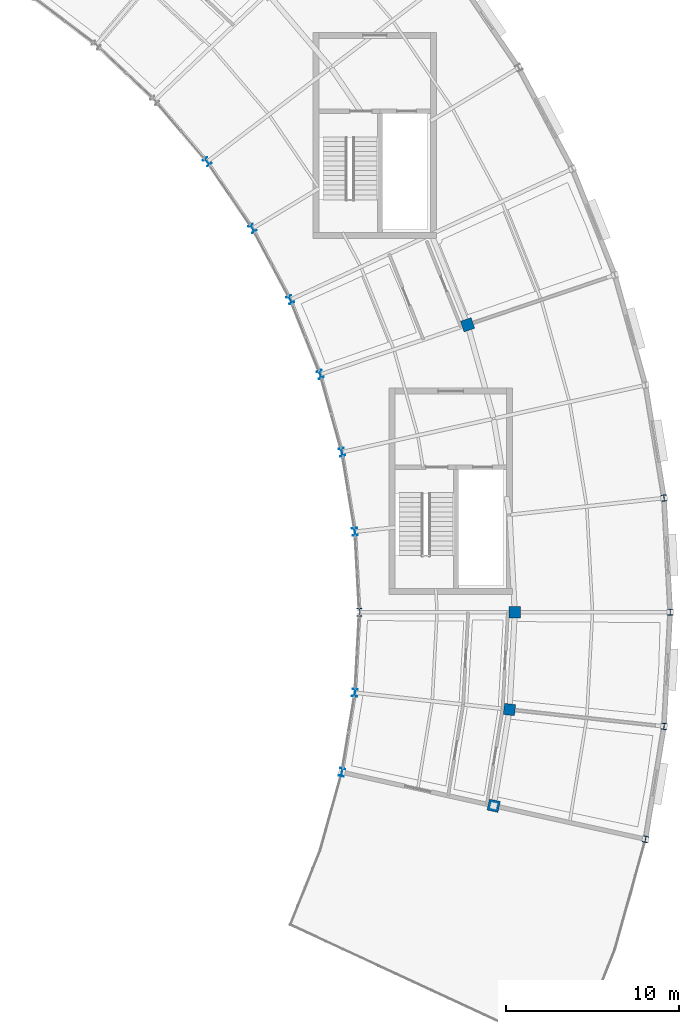
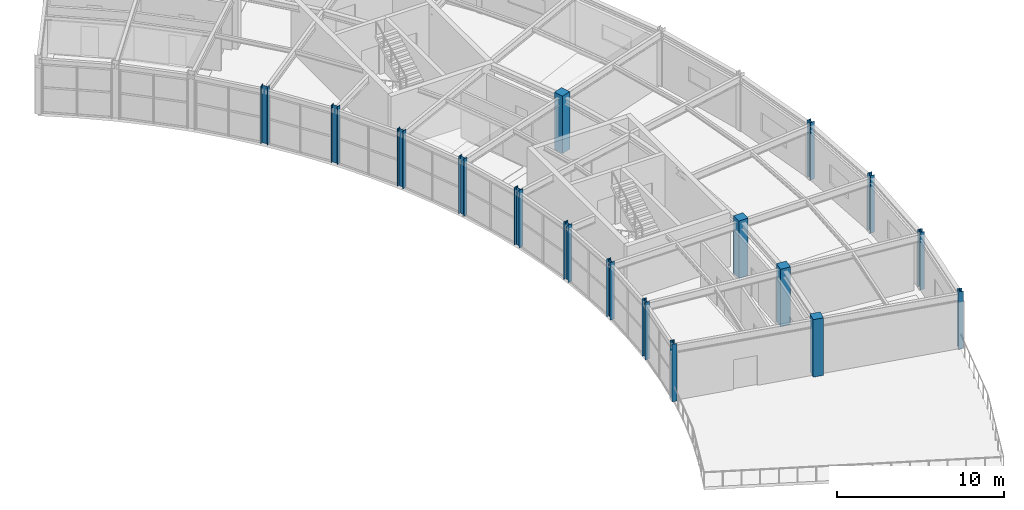
# One storey, part 8 of 63: 17 columns.
"""IFC4 building model written with IfcOpenShell, lengths in metres."""

import ifcopenshell
import ifcopenshell.guid

model = None  # the IFC model being written
_history = None  # IfcOwnerHistory: only IFC2X3 demands one
_inside = {}  # id of a spatial element -> (the spatial element, [elements in it])
_under = {}  # id of a project, library or spatial element -> (it, [spatial elements below it])
_declared = {}  # id of a project -> (the project, [libraries it declares])
_typed = {}  # id of a type object -> (the type object, [elements of that type])
_made_of = {}  # id of a material, layer set ... -> (it, [elements and type objects made of it])


def new_model(schema):
    """Start an empty IFC model of exactly this schema.

    Asked for "IFC4X3", IfcOpenShell would pick the latest addendum, in which some entities
    have other attributes; the version numbers below select the first issue.
    IFC2X3 requires an IfcOwnerHistory on every rooted entity: one is made here for all.
    """
    global model, _history
    if schema == "IFC4X3":
        model = ifcopenshell.file(schema_version=(4, 3, 0, 0))
    else:
        model = ifcopenshell.file(schema=schema)
    _inside.clear()
    _under.clear()
    _declared.clear()
    _typed.clear()
    _made_of.clear()
    _history = None
    if model.schema == "IFC2X3":
        org = make("IfcOrganization", Name="unknown")
        user = make(
            "IfcPersonAndOrganization",
            ThePerson=make("IfcPerson", FamilyName="unknown"),
            TheOrganization=org,
        )
        app = make(
            "IfcApplication",
            ApplicationDeveloper=org,
            Version="unknown",
            ApplicationFullName="unknown",
            ApplicationIdentifier="unknown",
        )
        _history = make(
            "IfcOwnerHistory",
            OwningUser=user,
            OwningApplication=app,
            ChangeAction="ADDED",
            CreationDate=0,
        )
    return model


def make(cls, **values):
    """One entity of the class cls with the attributes given. An attribute that is None is left unset."""
    return model.create_entity(
        cls, **{name: value for name, value in values.items() if value is not None}
    )


def rooted(cls, **values):
    """An entity with a GlobalId (a new one), such as an element, a storey or a relation."""
    return make(cls, GlobalId=ifcopenshell.guid.new(), OwnerHistory=_history, **values)


def si_unit(unit_type, name, prefix=None):
    """IfcSIUnit, for example si_unit("LENGTHUNIT", "METRE", prefix="MILLI")."""
    return make("IfcSIUnit", UnitType=unit_type, Prefix=prefix, Name=name)


def assignment(units):
    """IfcUnitAssignment: the units of a project."""
    return None if units is None else make("IfcUnitAssignment", Units=units)


def point(xyz):
    """IfcCartesianPoint."""
    return None if xyz is None else make("IfcCartesianPoint", Coordinates=xyz)


def direction(xyz):
    """IfcDirection."""
    return None if xyz is None else make("IfcDirection", DirectionRatios=xyz)


def frame(location, z_axis=None, x_axis=None):
    """IfcAxis2Placement3D, a coordinate frame: its origin and axes. An axis left out is left unset."""
    return make(
        "IfcAxis2Placement3D",
        Location=point(location),
        Axis=direction(z_axis),
        RefDirection=direction(x_axis),
    )


def frame_2d(location, x_axis=None):
    """IfcAxis2Placement2D, a coordinate frame in the plane: its origin and x axis."""
    return make(
        "IfcAxis2Placement2D", Location=point(location), RefDirection=direction(x_axis)
    )


def origin():
    """The frame at (0, 0, 0) with its axes left unset."""
    return frame((0.0, 0.0, 0.0))


def origin_2d():
    """The frame at (0, 0) in the plane with its x axis left unset."""
    return frame_2d((0.0, 0.0))


def place(relative_to, where):
    """IfcLocalPlacement: puts the frame where relative to a parent placement (None: the world)."""
    return make(
        "IfcLocalPlacement", PlacementRelTo=relative_to, RelativePlacement=where
    )


def context(
    kind, dimensions, precision=None, world=None, true_north=None, identifier=None
):
    """IfcGeometricRepresentationContext, for example the 3D "Model" context."""
    return make(
        "IfcGeometricRepresentationContext",
        ContextIdentifier=identifier,
        ContextType=kind,
        CoordinateSpaceDimension=dimensions,
        Precision=precision,
        WorldCoordinateSystem=world,
        TrueNorth=true_north,
    )


def subcontext(parent, identifier, kind, view, scale=None):
    """IfcGeometricRepresentationSubContext, for example "Body" below "Model"."""
    return make(
        "IfcGeometricRepresentationSubContext",
        ContextIdentifier=identifier,
        ContextType=kind,
        ParentContext=parent,
        TargetScale=scale,
        TargetView=view,
    )


def project(units=None, contexts=None):
    """IfcProject with its units and contexts."""
    return rooted(
        "IfcProject",
        Name="project",
        RepresentationContexts=contexts,
        UnitsInContext=assignment(units),
    )


def spatial(cls, under=None, at=None, **own):
    """A site, building, storey or space (cls), placed at a placement, below another one or the project."""
    s = rooted(cls, ObjectPlacement=at, **own)
    if under is not None:
        _under.setdefault(under.id(), (under, []))[1].append(s)
    return s


def profile(cls, at=None, kind="AREA", **sizes):
    """A parametric profile (cls). Its sizes go by their IFC names, for example OverallWidth=200.0."""
    return make(cls, ProfileType=kind, Position=at, **sizes)


def rectangle(**sizes):
    """IfcRectangleProfileDef."""
    return profile("IfcRectangleProfileDef", **sizes)


def i_section(**sizes):
    """IfcIShapeProfileDef."""
    return profile("IfcIShapeProfileDef", **sizes)


def extrude(swept, where, along, depth):
    """IfcExtrudedAreaSolid: the profile swept, set in the frame where, extruded along a direction by depth."""
    return make(
        "IfcExtrudedAreaSolid",
        SweptArea=swept,
        Position=where,
        ExtrudedDirection=direction(along),
        Depth=depth,
    )


def shape(context_of_items, identifier, shape_type, items):
    """IfcShapeRepresentation: the items that make up one representation, for example the "Body"."""
    return make(
        "IfcShapeRepresentation",
        ContextOfItems=context_of_items,
        RepresentationIdentifier=identifier,
        RepresentationType=shape_type,
        Items=items,
    )


def material(Name=None, Category=None):
    """IfcMaterial."""
    return make("IfcMaterial", Name=Name, Category=Category)


def material_profile(
    of_material, cross_section, Name=None, Category=None, Priority=None
):
    """IfcMaterialProfile: a cross section and its material."""
    return make(
        "IfcMaterialProfile",
        Name=Name,
        Material=of_material,
        Profile=cross_section,
        Priority=Priority,
        Category=Category,
    )


def profile_set(profiles, Name=None, composite=None):
    """IfcMaterialProfileSet."""
    return make(
        "IfcMaterialProfileSet",
        Name=Name,
        MaterialProfiles=profiles,
        CompositeProfile=composite,
    )


def made_of(thing, what):
    """Note that an element or type object is made of a material, layer set ...; save() writes the relation."""
    if what is not None:
        _made_of.setdefault(what.id(), (what, []))[1].append(thing)
    return thing


def type_object(cls, material=None, **own):
    """A type object (cls), such as IfcWallType, which elements share."""
    return made_of(rooted(cls, **own), material)


def element(
    cls,
    number,
    at=None,
    inside=None,
    cuts=None,
    type_object=None,
    material=None,
    context=None,
    identifier="Body",
    shape_type=None,
    held_by="IfcProductDefinitionShape",
    body=None,
    shapes=None,
    **own,
):
    """One element of the class cls, such as IfcWall. Its Tag is "e" and its number.

    at: its placement. inside: the storey or other place that contains it. cuts: it is an
    opening in that element (IfcRelVoidsElement). A single representation is given by context,
    identifier, shape_type and body (its items); several are given by shapes. held_by: the class
    of the entity that holds the representations. save() writes the other relations.
    """
    e = rooted(cls, Tag="e%d" % number, ObjectPlacement=at, **own)
    if body is not None:
        shapes = [shape(context, identifier, shape_type, body)]
    if shapes is not None:
        e.Representation = make(held_by, Representations=shapes)
    if inside is not None:
        _inside.setdefault(inside.id(), (inside, []))[1].append(e)
    if cuts is not None:
        rooted(
            "IfcRelVoidsElement", RelatingBuildingElement=cuts, RelatedOpeningElement=e
        )
    if type_object is not None:
        _typed.setdefault(type_object.id(), (type_object, []))[1].append(e)
    return made_of(e, material)


def aggregate(whole, parts):
    """IfcRelAggregates: a whole, such as a stair, and the parts it consists of."""
    return rooted("IfcRelAggregates", RelatingObject=whole, RelatedObjects=parts)


def save(model, path):
    """Write the relations noted so far, then the file.

    IfcRelAggregates (storeys below a building ...), IfcRelContainedInSpatialStructure (elements
    in a storey), IfcRelDefinesByType, IfcRelAssociatesMaterial and IfcRelDeclares: one each for
    every whole, place, type object, material and project.
    """
    for whole, parts in _under.values():
        aggregate(whole, parts)
    for where, things in _inside.values():
        rooted(
            "IfcRelContainedInSpatialStructure",
            RelatedElements=things,
            RelatingStructure=where,
        )
    for kind, things in _typed.values():
        rooted("IfcRelDefinesByType", RelatedObjects=things, RelatingType=kind)
    for what, things in _made_of.values():
        rooted("IfcRelAssociatesMaterial", RelatedObjects=things, RelatingMaterial=what)
    for by, libraries in _declared.values():
        rooted("IfcRelDeclares", RelatingContext=by, RelatedDefinitions=libraries)
    model.write(path)


model = new_model("IFC4")

# Units and contexts
model_context = context("Model", 3, precision=1e-05, world=origin(), true_north=direction((0.0, 1.0)))
body_context = subcontext(model_context, "Body", "Model", "MODEL_VIEW")
ifc_project = project(units=[si_unit("LENGTHUNIT", "METRE"), si_unit("AREAUNIT", "SQUARE_METRE"), si_unit("VOLUMEUNIT", "CUBIC_METRE"), si_unit("PLANEANGLEUNIT", "RADIAN"), si_unit("MASSUNIT", "GRAM", prefix="KILO")], contexts=[model_context])

# Site, building, storey
site_placement = place(None, origin())
site = spatial("IfcSite", under=ifc_project, at=site_placement, CompositionType="ELEMENT")
building_placement = place(site_placement, origin())
building = spatial("IfcBuilding", under=site, at=building_placement, Name="Tarnveldt Headland Concert Hall", CompositionType="ELEMENT")
storey_placement = place(building_placement, frame((0.0, 0.0, 14.39990234375)))
storey = spatial("IfcBuildingStorey", under=building, at=storey_placement, Name="L03", CompositionType="ELEMENT", Elevation=14.39990234375)

# Columns
ifc_material_1 = material(Name="Concrete C40/50", Category="concrete")
ifc_material_profile_1 = material_profile(ifc_material_1, rectangle(XDim=0.64990234375, YDim=0.64990234375, at=origin_2d()), Name="RC 650x650", Category="concrete")
ifc_profile_set_1 = profile_set([ifc_material_profile_1], Name="Concrete C40/50")
column_type_1 = type_object("IfcColumnType", Name="CC-650", PredefinedType="COLUMN", material=ifc_profile_set_1)
for number, where, z_axis, x_axis, name in (
    (1, (168.2783203125, 48.79443359375, 0.0), (0.0, 0.0, 1.0), (0.976522126798, -0.215417120661, 0.0), "Column V3C07MD L03"),
    (2, (169.193603515625, 54.364013671875, 0.0), (0.0, 0.0, 1.0), (0.994113204519, -0.108346373271, 0.0), "Column V3C08MD L03"),
    (3, (169.5, 60.0, 0.0), (0.0, 0.0, 1.0), (1.0, 0.0, 0.0), "Column V3C09MD L03"),
    (4, (166.7646484375, 76.643310546875, 0.0), (0.0, 0.0, 1.0), (0.947378020466, 0.320116988518, 0.0), "Column V3C12MD L03"),
):
    element("IfcColumn", number, at=place(storey_placement, frame(where, z_axis=z_axis, x_axis=x_axis)), inside=storey, type_object=column_type_1, Name=name, PredefinedType="COLUMN", context=body_context, shape_type="SweptSolid", body=[
        extrude(rectangle(XDim=0.64990234375, YDim=0.64990234375, at=origin_2d()), origin(), (0.0, 0.0, 1.0), 4.2001953125),
    ])
ifc_material_2 = material(Name="Steel S355", Category="steel")
ifc_material_profile_2 = material_profile(ifc_material_2, i_section(OverallWidth=0.300048828125, OverallDepth=0.360107421875, WebThickness=0.012451171875, FlangeThickness=0.0224609375, FilletRadius=0.027099609375, at=origin_2d()), Name="HEB360", Category="steel")
ifc_profile_set_2 = profile_set([ifc_material_profile_2], Name="Steel S355")
column_type_2 = type_object("IfcColumnType", Name="SC-HEB360", PredefinedType="COLUMN", material=ifc_profile_set_2)
for number, where, z_axis, x_axis, name in (
    (5, (177.06689453125, 46.85498046875, 0.0), (0.0, 0.0, 1.0), (0.976522126798, -0.215417120661, 0.0), "Column V3C07OUT L03"),
    (6, (178.140625, 53.388427734375, 0.0), (0.0, 0.0, 1.0), (0.994113204519, -0.108346373271, 0.0), "Column V3C08OUT L03"),
    (7, (178.5, 60.0, 0.0), (0.0, 0.0, 1.0), (1.0, 0.0, 0.0), "Column V3C09OUT L03"),
    (8, (178.140625, 66.611572265625, 0.0), (0.0, 0.0, 1.0), (0.994113204519, 0.108346373271, 0.0), "Column V3C10OUT L03"),
):
    element("IfcColumn", number, at=place(storey_placement, frame(where, z_axis=z_axis, x_axis=x_axis)), inside=storey, type_object=column_type_2, Name=name, PredefinedType="COLUMN", context=body_context, shape_type="SweptSolid", body=[
        extrude(i_section(OverallWidth=0.300048828125, OverallDepth=0.360107421875, WebThickness=0.012451171875, FlangeThickness=0.0224609375, FilletRadius=0.027099609375, at=origin_2d()), origin(), (0.0, 0.0, 1.0), 4.2001953125),
    ])
ifc_material_profile_3 = material_profile(ifc_material_2, i_section(OverallWidth=0.300048828125, OverallDepth=0.449951171875, WebThickness=0.013916015625, FlangeThickness=0.02587890625, FilletRadius=0.027099609375, at=origin_2d()), Name="HEB450", Category="steel")
ifc_profile_set_3 = profile_set([ifc_material_profile_3], Name="Steel S355")
column_type_3 = type_object("IfcColumnType", Name="SC-HEB450", PredefinedType="COLUMN", material=ifc_profile_set_3)
for number, where, z_axis, x_axis, name in (
    (9, (159.48974609375, 50.73388671875, 0.0), (0.0, 0.0, 1.0), (0.976522126798, -0.215417120661, 0.0), "Column V3C07IN L03"),
    (10, (160.24658203125, 55.33935546875, 0.0), (0.0, 0.0, 1.0), (0.994113204519, -0.108346373271, 0.0), "Column V3C08IN L03"),
    (11, (160.5, 60.0, 0.0), (0.0, 0.0, 1.0), (1.0, 0.0, 0.0), "Column V3C09IN L03"),
    (12, (160.24658203125, 64.66064453125, 0.0), (0.0, 0.0, 1.0), (0.994113204519, 0.108346373271, 0.0), "Column V3C10IN L03"),
    (13, (159.48974609375, 69.26611328125, 0.0), (0.0, 0.0, 1.0), (0.976522126798, 0.215417120661, 0.0), "Column V3C11IN L03"),
    (14, (158.238037109375, 73.7626953125, 0.0), (0.0, 0.0, 1.0), (0.947378020466, 0.320116988518, 0.0), "Column V3C12IN L03"),
    (15, (156.50634765625, 78.096923828125, 0.0), (0.0, 0.0, 1.0), (0.907117485088, 0.42087749791, 0.0), "Column V3C13IN L03"),
    (16, (154.315185546875, 82.218017578125, 0.0), (0.0, 0.0, 1.0), (0.856176919486, 0.516682767798, 0.0), "Column V3C14IN L03"),
    (17, (151.690185546875, 86.077392578125, 0.0), (0.0, 0.0, 1.0), (0.795156077043, 0.60640482612, 0.0), "Column V3C15IN L03"),
):
    element("IfcColumn", number, at=place(storey_placement, frame(where, z_axis=z_axis, x_axis=x_axis)), inside=storey, type_object=column_type_3, Name=name, PredefinedType="COLUMN", context=body_context, shape_type="SweptSolid", body=[
        extrude(i_section(OverallWidth=0.300048828125, OverallDepth=0.449951171875, WebThickness=0.013916015625, FlangeThickness=0.02587890625, FilletRadius=0.027099609375, at=origin_2d()), origin(), (0.0, 0.0, 1.0), 4.2001953125),
    ])

save(model, "model.ifc")
